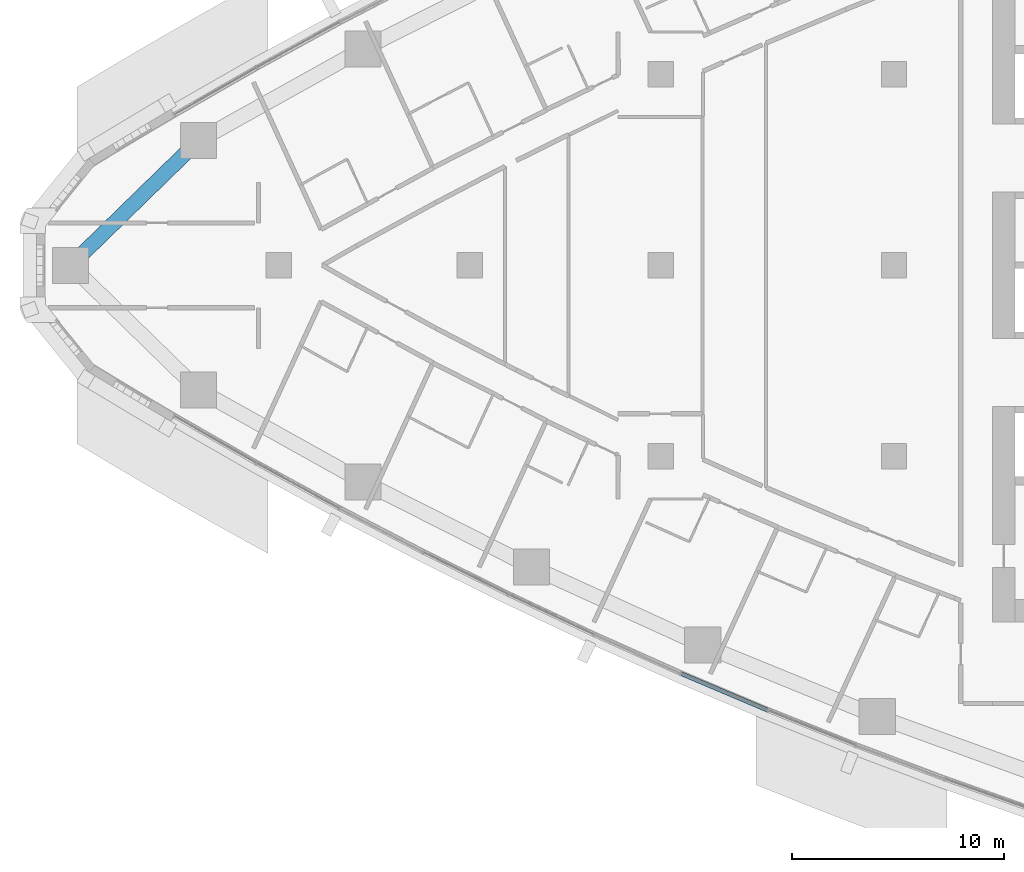
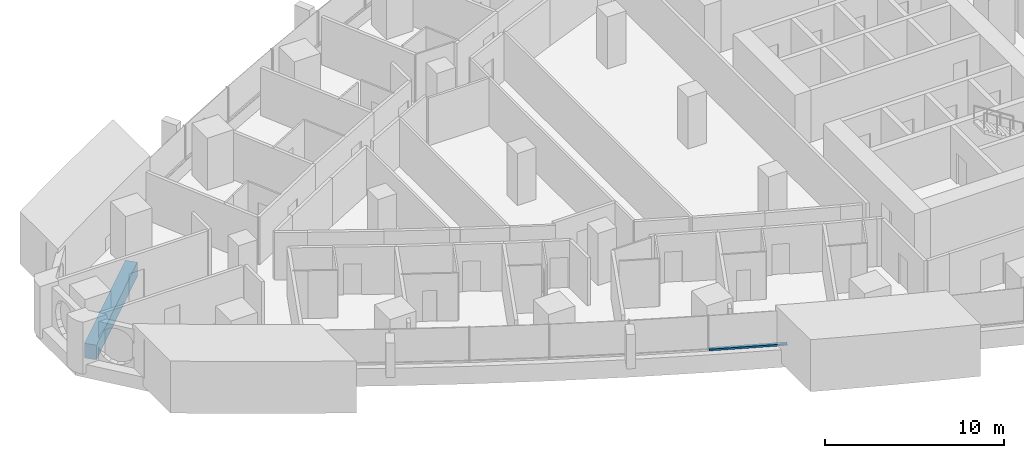
# One storey, part 3 of 17: 1 beam, 1 member, 1 element without a shape of its own.
"""IFC4 building model written with IfcOpenShell, lengths in metres."""

from ifc_helpers import new_model, si_unit, direction, frame, origin, origin_2d, place, context, subcontext, project, spatial, rectangle, extrude, material, layer, layer_set, material_profile, profile_set, type_object, element, aggregate, save


model = new_model("IFC4")

# Units and contexts
model_context = context("Model", 3, precision=1e-05, world=origin(), true_north=direction((0.0, 1.0)))
body_context = subcontext(model_context, "Body", "Model", "MODEL_VIEW")
ifc_project = project(units=[si_unit("LENGTHUNIT", "METRE"), si_unit("AREAUNIT", "SQUARE_METRE"), si_unit("VOLUMEUNIT", "CUBIC_METRE"), si_unit("PLANEANGLEUNIT", "RADIAN"), si_unit("MASSUNIT", "GRAM", prefix="KILO")], contexts=[model_context])

# Site, building, storey
site_placement = place(None, origin())
site = spatial("IfcSite", under=ifc_project, at=site_placement, CompositionType="ELEMENT")
building_placement = place(site_placement, origin())
building = spatial("IfcBuilding", under=site, at=building_placement, Name="Ostrand Prow Hotel Tower", CompositionType="ELEMENT")
storey_placement = place(building_placement, frame((0.0, 0.0, 102.64990234375)))
storey = spatial("IfcBuildingStorey", under=building, at=storey_placement, Name="L24", CompositionType="ELEMENT", Elevation=102.64990234375)

# Beam
ifc_material_1 = material(Name="Concrete C80/95", Category="concrete")
ifc_material_profile_1 = material_profile(ifc_material_1, rectangle(XDim=0.699951171875, YDim=1.0, at=origin_2d()), Name="RC 700x1000")
ifc_profile_set_1 = profile_set([ifc_material_profile_1], Name="Concrete C80/95")
beam_type = type_object("IfcBeamType", Name="Edge beam 700x1000 C80/95", PredefinedType="SPANDREL", material=ifc_profile_set_1)
beam_placement = place(storey_placement, frame((12.221435546875, 5.876220703125, -0.7998046875), z_axis=(-0.716082759826, -0.698015387423, 0.0), x_axis=(0.698015387423, -0.716082759826, 0.0)))
element("IfcBeam", 1, at=beam_placement, inside=storey, type_object=beam_type, Name="Edge beam N6-P", PredefinedType="SPANDREL", context=body_context, shape_type="SweptSolid", body=[
    extrude(rectangle(XDim=0.699951171875, YDim=1.0, at=origin_2d()), origin(), (0.0, 0.0, 1.0), 8.41845703125),
])

# Curtain wall, member
ifc_material_2 = material(Name="Insulated glass in bronze anodised frame", Category="glass")
ifc_layer = layer(ifc_material_2, 0.199951171875)
ifc_layer_set = layer_set([ifc_layer], Name="Insulated glass in bronze anodised frame")
curtain_wall_type = type_object("IfcCurtainWallType", Name="Strip curtain wall, fritted glass over bronze spandrel", PredefinedType="NOTDEFINED", material=ifc_layer_set)
curtain_wall_placement = place(storey_placement, origin())
curtain_wall = element("IfcCurtainWall", 2, at=curtain_wall_placement, inside=storey, type_object=curtain_wall_type, Name="CW1 run CWS4", PredefinedType="NOTDEFINED")
ifc_material_3 = material(Name="Bronze anodised aluminium", Category="aluminium")
ifc_material_profile_2 = material_profile(ifc_material_3, rectangle(XDim=0.199951171875, YDim=0.1201171875, at=origin_2d()), Name="Transom 120x200 bronze anodised aluminium")
ifc_profile_set_2 = profile_set([ifc_material_profile_2], Name="Bronze anodised aluminium")
member_type = type_object("IfcMemberType", Name="Transom 120x200 bronze anodised aluminium", PredefinedType="USERDEFINED", material=ifc_profile_set_2)
member_placement = place(storey_placement, frame((34.978271484375, -19.24462890625, 0.960205078125), z_axis=(0.921006250528, -0.389547797438, 0.0), x_axis=(0.389547797438, 0.921006250528, 0.0)))
member = element("IfcMember", 3, at=member_placement, type_object=member_type, Name="CW1 transom 1.1", ObjectType="TRANSOM", PredefinedType="USERDEFINED", context=body_context, shape_type="SweptSolid", body=[
    extrude(rectangle(XDim=0.199951171875, YDim=0.1201171875, at=origin_2d()), origin(), (0.0, 0.0, 1.0), 4.406005859375),
])
aggregate(curtain_wall, [member])

save(model, "model.ifc")
